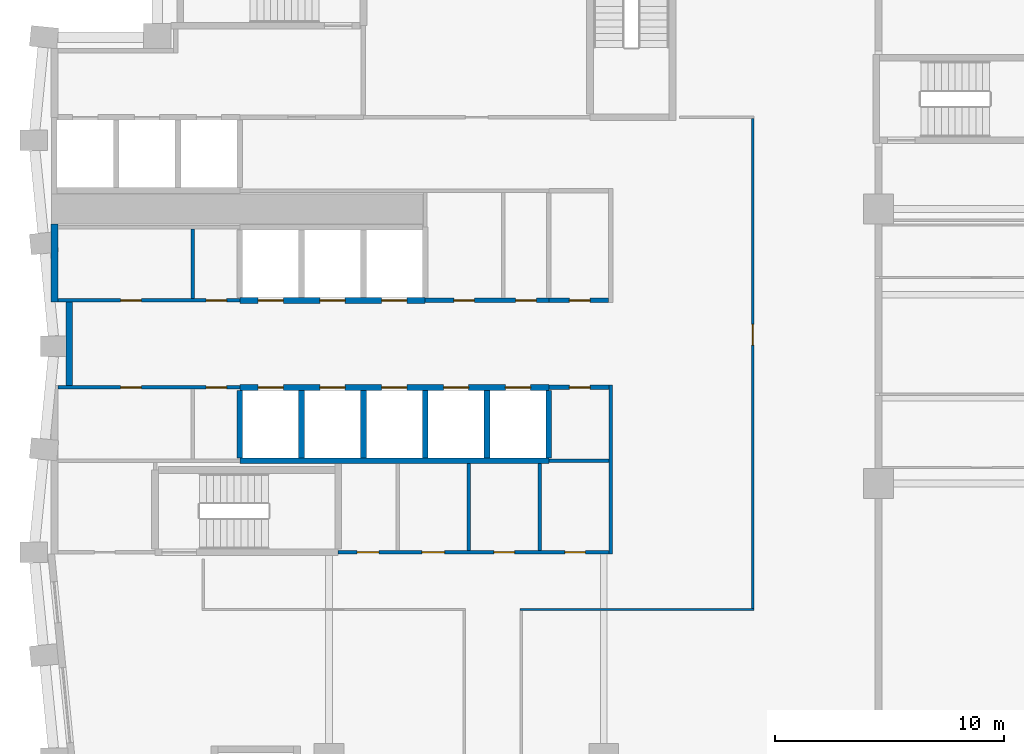
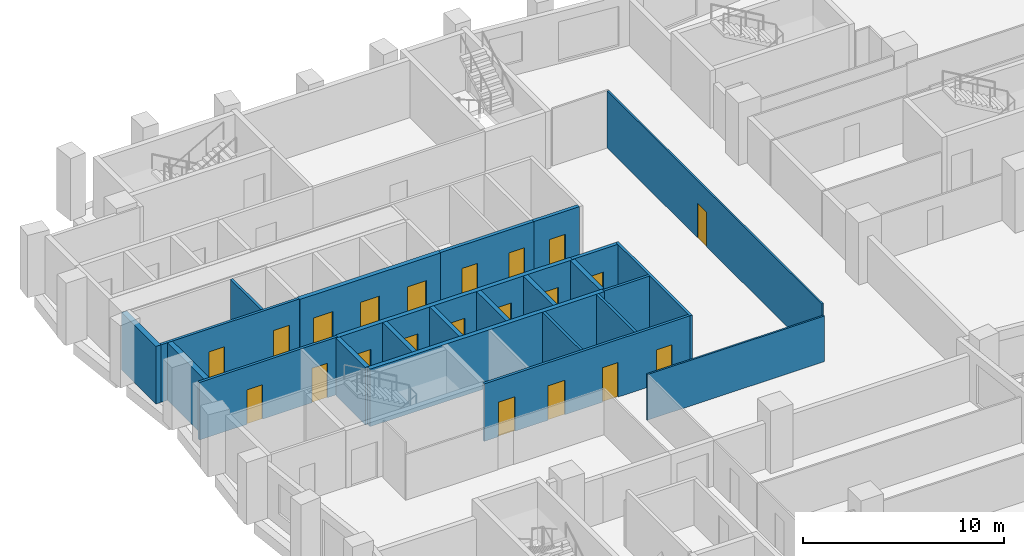
# One storey, part 5 of 11: 24 walls, 21 doors, 21 openings.
"""IFC4 building model written with IfcOpenShell, lengths in metres."""

from ifc_helpers import new_model, si_unit, direction, frame, frame_2d, origin, place, context, subcontext, project, spatial, rectangle, extrude, material, layer, layer_set, type_object, element, fill, save


model = new_model("IFC4")

# Units and contexts
model_context = context("Model", 3, precision=1e-05, world=origin(), true_north=direction((0.0, 1.0)))
body_context = subcontext(model_context, "Body", "Model", "MODEL_VIEW")
ifc_project = project(units=[si_unit("LENGTHUNIT", "METRE"), si_unit("AREAUNIT", "SQUARE_METRE"), si_unit("VOLUMEUNIT", "CUBIC_METRE"), si_unit("PLANEANGLEUNIT", "RADIAN"), si_unit("MASSUNIT", "GRAM", prefix="KILO")], contexts=[model_context])

# Site, building, storey
site_placement = place(None, origin())
site = spatial("IfcSite", under=ifc_project, at=site_placement, CompositionType="ELEMENT")
building_placement = place(site_placement, origin())
building = spatial("IfcBuilding", under=site, at=building_placement, Name="Brondeck Convention Tower", CompositionType="ELEMENT")
storey_placement = place(building_placement, frame((0.0, 0.0, 99.89990234375)))
storey = spatial("IfcBuildingStorey", under=building, at=storey_placement, Name="L23", CompositionType="ELEMENT", Elevation=99.89990234375)

# Wall, openings, doors
ifc_material_1 = material(Name="Concrete C70/85", Category="concrete")
ifc_layer_1 = layer(ifc_material_1, 0.14990234375)
ifc_layer_set_1 = layer_set([ifc_layer_1], Name="Core beam-seat wall 150 Concrete C70/85")
wall_type_1 = type_object("IfcWallType", Name="Core beam-seat wall 150 Concrete C70/85", PredefinedType="SHEAR", material=ifc_layer_set_1)
wall_1_placement = place(storey_placement, frame((12.39990234375, 36.0, 0.0), z_axis=(0.0, 0.0, 1.0), x_axis=(1.0, 0.0, 0.0)))
wall_1 = element("IfcWall", 1, at=wall_1_placement, inside=storey, type_object=wall_type_1, Name="L23 core wall", PredefinedType="SHEAR", context=body_context, shape_type="SweptSolid", body=[
    extrude(rectangle(XDim=11.8251953125, YDim=0.14990234375, at=frame_2d((5.91259765625, 0.0))), origin(), (0.0, 0.0, 1.0), 3.5),
])
opening_1_placement = place(wall_1_placement, frame((0.824951171875, 0.0, 0.0)))
opening_1 = element("IfcOpeningElement", 2, at=opening_1_placement, cuts=wall_1, Name="Opening C15-03", PredefinedType="OPENING", context=body_context, shape_type="SweptSolid", body=[
    extrude(rectangle(XDim=0.949951171875, YDim=2.10009765625, at=frame_2d((0.47509765625, 1.050048828125))), frame((0.0, 0.0849609375, 0.0), z_axis=(0.0, -1.0, 0.0), x_axis=(1.0, 0.0, 0.0)), (0.0, 0.0, 1.0), 0.169921875),
])
opening_2_placement = place(wall_1_placement, frame((3.64990234375, 0.0, 0.0)))
opening_2 = element("IfcOpeningElement", 3, at=opening_2_placement, cuts=wall_1, Name="Opening C15-04", PredefinedType="OPENING", context=body_context, shape_type="SweptSolid", body=[
    extrude(rectangle(XDim=1.0, YDim=2.10009765625, at=frame_2d((0.5, 1.050048828125))), frame((0.0, 0.0849609375, 0.0), z_axis=(0.0, -1.0, 0.0), x_axis=(1.0, 0.0, 0.0)), (0.0, 0.0, 1.0), 0.169921875),
])
opening_3_placement = place(wall_1_placement, frame((6.800048828125, 0.0, 0.0)))
opening_3 = element("IfcOpeningElement", 4, at=opening_3_placement, cuts=wall_1, Name="Opening C15-05", PredefinedType="OPENING", context=body_context, shape_type="SweptSolid", body=[
    extrude(rectangle(XDim=0.89990234375, YDim=2.10009765625, at=frame_2d((0.449951171875, 1.050048828125))), frame((0.0, 0.0849609375, 0.0), z_axis=(0.0, -1.0, 0.0), x_axis=(1.0, 0.0, 0.0)), (0.0, 0.0, 1.0), 0.169921875),
])
opening_4_placement = place(wall_1_placement, frame((9.89990234375, 0.0, 0.0)))
opening_4 = element("IfcOpeningElement", 5, at=opening_4_placement, cuts=wall_1, Name="Opening C15-06", PredefinedType="OPENING", context=body_context, shape_type="SweptSolid", body=[
    extrude(rectangle(XDim=0.89990234375, YDim=2.10009765625, at=frame_2d((0.449951171875, 1.050048828125))), frame((0.0, 0.0849609375, 0.0), z_axis=(0.0, -1.0, 0.0), x_axis=(1.0, 0.0, 0.0)), (0.0, 0.0, 1.0), 0.169921875),
])
ifc_material_2 = material(Name="Steel fire door", Category="steel")
door_type_1 = type_object("IfcDoorType", Name="Room door 1000x2100 EI 60", OperationType="NOTDEFINED", PredefinedType="DOOR", material=ifc_material_2)
door_1_placement = place(opening_2_placement, origin())
door_1 = element("IfcDoor", 6, at=door_1_placement, inside=storey, type_object=door_type_1, Name="L23 Room door FR-2", OperationType="SINGLE_SWING_LEFT", OverallHeight=2.10009765625, OverallWidth=1.0, PredefinedType="DOOR", context=body_context, shape_type="SweptSolid", body=[
    extrude(rectangle(XDim=1.0, YDim=2.10009765625, at=frame_2d((0.5, 1.050048828125))), frame((0.0, 0.02490234375, 0.0), z_axis=(0.0, -1.0, 0.0), x_axis=(1.0, 0.0, 0.0)), (0.0, 0.0, 1.0), 0.050048828125),
])
fill(opening_2, door_1)
door_type_2 = type_object("IfcDoorType", Name="Room door 900x2100 EI 60", OperationType="NOTDEFINED", PredefinedType="DOOR", material=ifc_material_2)
door_2_placement = place(opening_3_placement, origin())
door_2 = element("IfcDoor", 7, at=door_2_placement, inside=storey, type_object=door_type_2, Name="L23 Room door FR-3", OperationType="SINGLE_SWING_RIGHT", OverallHeight=2.10009765625, OverallWidth=0.89990234375, PredefinedType="DOOR", context=body_context, shape_type="SweptSolid", body=[
    extrude(rectangle(XDim=0.89990234375, YDim=2.10009765625, at=frame_2d((0.449951171875, 1.050048828125))), frame((0.0, 0.02490234375, 0.0), z_axis=(0.0, -1.0, 0.0), x_axis=(1.0, 0.0, 0.0)), (0.0, 0.0, 1.0), 0.050048828125),
])
fill(opening_3, door_2)
door_3_placement = place(opening_4_placement, origin())
door_3 = element("IfcDoor", 8, at=door_3_placement, inside=storey, type_object=door_type_2, Name="L23 Room door FR-4", OperationType="SINGLE_SWING_LEFT", OverallHeight=2.10009765625, OverallWidth=0.89990234375, PredefinedType="DOOR", context=body_context, shape_type="SweptSolid", body=[
    extrude(rectangle(XDim=0.89990234375, YDim=2.10009765625, at=frame_2d((0.449951171875, 1.050048828125))), frame((0.0, 0.02490234375, 0.0), z_axis=(0.0, -1.0, 0.0), x_axis=(1.0, 0.0, 0.0)), (0.0, 0.0, 1.0), 0.050048828125),
])
fill(opening_4, door_3)
door_type_3 = type_object("IfcDoorType", Name="Room door 950x2100 EI 60", OperationType="NOTDEFINED", PredefinedType="DOOR", material=ifc_material_2)
door_4_placement = place(opening_1_placement, origin())
door_4 = element("IfcDoor", 9, at=door_4_placement, inside=storey, type_object=door_type_3, Name="L23 Room door FR-1", OperationType="SINGLE_SWING_RIGHT", OverallHeight=2.10009765625, OverallWidth=0.949951171875, PredefinedType="DOOR", context=body_context, shape_type="SweptSolid", body=[
    extrude(rectangle(XDim=0.949951171875, YDim=2.10009765625, at=frame_2d((0.47509765625, 1.050048828125))), frame((0.0, 0.02490234375, 0.0), z_axis=(0.0, -1.0, 0.0), x_axis=(1.0, 0.0, 0.0)), (0.0, 0.0, 1.0), 0.050048828125),
])
fill(opening_1, door_4)

# Walls
ifc_layer_2 = layer(ifc_material_1, 0.300048828125)
ifc_layer_set_2 = layer_set([ifc_layer_2], Name="Core outer wall 300 Concrete C70/85")
wall_type_2 = type_object("IfcWallType", Name="Core outer wall 300 Concrete C70/85", PredefinedType="SHEAR", material=ifc_layer_set_2)
wall_2_placement = place(storey_placement, frame((0.0, 46.925048828125, 0.0), z_axis=(0.0, 0.0, 1.0), x_axis=(0.0, 1.0, 0.0)))
element("IfcWall", 10, at=wall_2_placement, inside=storey, type_object=wall_type_2, Name="L23 core wall", PredefinedType="SHEAR", context=body_context, shape_type="SweptSolid", body=[
    extrude(rectangle(XDim=3.425048828125, YDim=0.300048828125, at=frame_2d((1.71240234375, 0.0))), origin(), (0.0, 0.0, 1.0), 3.5),
])
wall_3_placement = place(storey_placement, frame((0.64990234375, 43.27490234375, 0.0), z_axis=(0.0, 0.0, 1.0), x_axis=(0.0, 1.0, 0.0)))
element("IfcWall", 11, at=wall_3_placement, inside=storey, type_object=wall_type_2, Name="L23 core wall", PredefinedType="SHEAR", context=body_context, shape_type="SweptSolid", body=[
    extrude(rectangle(XDim=3.650146484375, YDim=0.300048828125, at=frame_2d((1.8251953125, 0.0))), origin(), (0.0, 0.0, 1.0), 3.5),
])
ifc_material_3 = material(Name="Fire-rated gypsum board partition")
ifc_layer_3 = layer(ifc_material_3, 0.14990234375)
ifc_layer_set_3 = layer_set([ifc_layer_3], Name="Core partition 150 EI 60")
wall_type_3 = type_object("IfcWallType", Name="Core partition 150 EI 60", PredefinedType="PARTITIONING", material=ifc_layer_set_3)
wall_4_placement = place(storey_placement, frame((21.60009765625, 40.0, 0.0), z_axis=(0.0, 0.0, 1.0), x_axis=(1.0, 0.0, 0.0)))
element("IfcWall", 12, at=wall_4_placement, inside=storey, type_object=wall_type_3, Name="L23 core wall", PredefinedType="PARTITIONING", context=body_context, shape_type="SweptSolid", body=[
    extrude(rectangle(XDim=2.625, YDim=0.14990234375, at=frame_2d((1.3125, 0.0))), origin(), (0.0, 0.0, 1.0), 3.5),
])

# Wall, openings, doors
wall_5_placement = place(storey_placement, frame((0.14990234375, 43.199951171875, 0.0), z_axis=(0.0, 0.0, 1.0), x_axis=(1.0, 0.0, 0.0)))
wall_5 = element("IfcWall", 13, at=wall_5_placement, inside=storey, type_object=wall_type_3, Name="L23 core wall", PredefinedType="PARTITIONING", context=body_context, shape_type="SweptSolid", body=[
    extrude(rectangle(XDim=7.9501953125, YDim=0.14990234375, at=frame_2d((3.97509765625, 0.0))), origin(), (0.0, 0.0, 1.0), 3.5),
])
opening_5_placement = place(wall_5_placement, frame((2.75, 0.0, 0.0)))
opening_5 = element("IfcOpeningElement", 14, at=opening_5_placement, cuts=wall_5, Name="Opening C15-12", PredefinedType="OPENING", context=body_context, shape_type="SweptSolid", body=[
    extrude(rectangle(XDim=0.89990234375, YDim=2.10009765625, at=frame_2d((0.449951171875, 1.050048828125))), frame((0.0, 0.0849609375, 0.0), z_axis=(0.0, -1.0, 0.0), x_axis=(1.0, 0.0, 0.0)), (0.0, 0.0, 1.0), 0.169921875),
])
opening_6_placement = place(wall_5_placement, frame((6.47509765625, 0.0, 0.0)))
opening_6 = element("IfcOpeningElement", 15, at=opening_6_placement, cuts=wall_5, Name="Opening C15-13", PredefinedType="OPENING", context=body_context, shape_type="SweptSolid", body=[
    extrude(rectangle(XDim=0.89990234375, YDim=2.10009765625, at=frame_2d((0.449951171875, 1.050048828125))), frame((0.0, 0.0849609375, 0.0), z_axis=(0.0, -1.0, 0.0), x_axis=(1.0, 0.0, 0.0)), (0.0, 0.0, 1.0), 0.169921875),
])
door_5_placement = place(opening_5_placement, origin())
door_5 = element("IfcDoor", 16, at=door_5_placement, inside=storey, type_object=door_type_2, Name="L23 Room door FZ-S-0-1", OperationType="SINGLE_SWING_LEFT", OverallHeight=2.10009765625, OverallWidth=0.89990234375, PredefinedType="DOOR", context=body_context, shape_type="SweptSolid", body=[
    extrude(rectangle(XDim=0.89990234375, YDim=2.10009765625, at=frame_2d((0.449951171875, 1.050048828125))), frame((0.0, 0.02490234375, 0.0), z_axis=(0.0, -1.0, 0.0), x_axis=(1.0, 0.0, 0.0)), (0.0, 0.0, 1.0), 0.050048828125),
])
fill(opening_5, door_5)
door_6_placement = place(opening_6_placement, origin())
door_6 = element("IfcDoor", 17, at=door_6_placement, inside=storey, type_object=door_type_2, Name="L23 Room door FZ-S-0-2", OperationType="SINGLE_SWING_RIGHT", OverallHeight=2.10009765625, OverallWidth=0.89990234375, PredefinedType="DOOR", context=body_context, shape_type="SweptSolid", body=[
    extrude(rectangle(XDim=0.89990234375, YDim=2.10009765625, at=frame_2d((0.449951171875, 1.050048828125))), frame((0.0, 0.02490234375, 0.0), z_axis=(0.0, -1.0, 0.0), x_axis=(1.0, 0.0, 0.0)), (0.0, 0.0, 1.0), 0.050048828125),
])
fill(opening_6, door_6)

wall_6_placement = place(storey_placement, frame((0.14990234375, 47.0, 0.0), z_axis=(0.0, 0.0, 1.0), x_axis=(1.0, 0.0, 0.0)))
wall_6 = element("IfcWall", 18, at=wall_6_placement, inside=storey, type_object=wall_type_3, Name="L23 core wall", PredefinedType="PARTITIONING", context=body_context, shape_type="SweptSolid", body=[
    extrude(rectangle(XDim=7.9501953125, YDim=0.14990234375, at=frame_2d((3.97509765625, 0.0))), origin(), (0.0, 0.0, 1.0), 3.5),
])
opening_7_placement = place(wall_6_placement, frame((2.75, 0.0, 0.0)))
opening_7 = element("IfcOpeningElement", 19, at=opening_7_placement, cuts=wall_6, Name="Opening C15-08", PredefinedType="OPENING", context=body_context, shape_type="SweptSolid", body=[
    extrude(rectangle(XDim=0.89990234375, YDim=2.10009765625, at=frame_2d((0.449951171875, 1.050048828125))), frame((0.0, 0.0849609375, 0.0), z_axis=(0.0, -1.0, 0.0), x_axis=(1.0, 0.0, 0.0)), (0.0, 0.0, 1.0), 0.169921875),
])
opening_8_placement = place(wall_6_placement, frame((6.47509765625, 0.0, 0.0)))
opening_8 = element("IfcOpeningElement", 20, at=opening_8_placement, cuts=wall_6, Name="Opening C15-09", PredefinedType="OPENING", context=body_context, shape_type="SweptSolid", body=[
    extrude(rectangle(XDim=0.89990234375, YDim=2.10009765625, at=frame_2d((0.449951171875, 1.050048828125))), frame((0.0, 0.0849609375, 0.0), z_axis=(0.0, -1.0, 0.0), x_axis=(1.0, 0.0, 0.0)), (0.0, 0.0, 1.0), 0.169921875),
])
door_7_placement = place(opening_7_placement, origin())
door_7 = element("IfcDoor", 21, at=door_7_placement, inside=storey, type_object=door_type_2, Name="L23 Room door FZ-N-0-1", OperationType="SINGLE_SWING_RIGHT", OverallHeight=2.10009765625, OverallWidth=0.89990234375, PredefinedType="DOOR", context=body_context, shape_type="SweptSolid", body=[
    extrude(rectangle(XDim=0.89990234375, YDim=2.10009765625, at=frame_2d((0.449951171875, 1.050048828125))), frame((0.0, 0.02490234375, 0.0), z_axis=(0.0, -1.0, 0.0), x_axis=(1.0, 0.0, 0.0)), (0.0, 0.0, 1.0), 0.050048828125),
])
fill(opening_7, door_7)
door_8_placement = place(opening_8_placement, origin())
door_8 = element("IfcDoor", 22, at=door_8_placement, inside=storey, type_object=door_type_2, Name="L23 Room door FZ-N-0-2", OperationType="SINGLE_SWING_LEFT", OverallHeight=2.10009765625, OverallWidth=0.89990234375, PredefinedType="DOOR", context=body_context, shape_type="SweptSolid", body=[
    extrude(rectangle(XDim=0.89990234375, YDim=2.10009765625, at=frame_2d((0.449951171875, 1.050048828125))), frame((0.0, 0.02490234375, 0.0), z_axis=(0.0, -1.0, 0.0), x_axis=(1.0, 0.0, 0.0)), (0.0, 0.0, 1.0), 0.050048828125),
])
fill(opening_8, door_8)

# Walls
wall_7_placement = place(storey_placement, frame((6.050048828125, 47.074951171875, 0.0), z_axis=(0.0, 0.0, 1.0), x_axis=(0.0, 1.0, 0.0)))
element("IfcWall", 23, at=wall_7_placement, inside=storey, type_object=wall_type_3, Name="L23 core wall", PredefinedType="PARTITIONING", context=body_context, shape_type="SweptSolid", body=[
    extrude(rectangle(XDim=3.050048828125, YDim=0.14990234375, at=frame_2d((1.52490234375, 0.0))), origin(), (0.0, 0.0, 1.0), 3.5),
])
for number, where, z_axis, x_axis, name in (
    (24, (18.10009765625, 36.074951171875, 0.0), (0.0, 0.0, 1.0), (0.0, 1.0, 0.0), "L23 core wall"),
    (25, (21.199951171875, 36.074951171875, 0.0), (0.0, 0.0, 1.0), (0.0, 1.0, 0.0), "L23 core wall"),
):
    element("IfcWall", number, at=place(storey_placement, frame(where, z_axis=z_axis, x_axis=x_axis)), inside=storey, type_object=wall_type_3, Name=name, PredefinedType="PARTITIONING", context=body_context, shape_type="SweptSolid", body=[
        extrude(rectangle(XDim=3.800048828125, YDim=0.14990234375, at=frame_2d((1.89990234375, 0.0))), origin(), (0.0, 0.0, 1.0), 3.5),
    ])
wall_8_placement = place(storey_placement, frame((24.300048828125, 35.925048828125, 0.0), z_axis=(0.0, 0.0, 1.0), x_axis=(0.0, 1.0, 0.0)))
element("IfcWall", 26, at=wall_8_placement, inside=storey, type_object=wall_type_3, Name="L23 core wall", PredefinedType="PARTITIONING", context=body_context, shape_type="SweptSolid", body=[
    extrude(rectangle(XDim=7.375, YDim=0.14990234375, at=frame_2d((3.6875, 0.0))), origin(), (0.0, 0.0, 1.0), 3.5),
])

# Wall, opening, door
ifc_layer_4 = layer(ifc_material_3, 0.199951171875)
ifc_layer_set_4 = layer_set([ifc_layer_4], Name="Lift lobby wall 200 EI 60")
wall_type_4 = type_object("IfcWallType", Name="Lift lobby wall 200 EI 60", PredefinedType="PARTITIONING", material=ifc_layer_set_4)
wall_9_placement = place(storey_placement, frame((21.60009765625, 43.199951171875, 0.0), z_axis=(0.0, 0.0, 1.0), x_axis=(1.0, 0.0, 0.0)))
wall_9 = element("IfcWall", 27, at=wall_9_placement, inside=storey, type_object=wall_type_4, Name="L23 core wall", PredefinedType="PARTITIONING", context=body_context, shape_type="SweptSolid", body=[
    extrude(rectangle(XDim=2.625, YDim=0.199951171875, at=frame_2d((1.3125, 0.0))), origin(), (0.0, 0.0, 1.0), 3.5),
])
opening_9_placement = place(wall_9_placement, frame((0.89990234375, 0.0, 0.0)))
opening_9 = element("IfcOpeningElement", 28, at=opening_9_placement, cuts=wall_9, Name="Opening C15-14", PredefinedType="OPENING", context=body_context, shape_type="SweptSolid", body=[
    extrude(rectangle(XDim=0.89990234375, YDim=2.10009765625, at=frame_2d((0.449951171875, 1.050048828125))), frame((0.0, 0.10986328125, 0.0), z_axis=(0.0, -1.0, 0.0), x_axis=(1.0, 0.0, 0.0)), (0.0, 0.0, 1.0), 0.219970703125),
])
door_9_placement = place(opening_9_placement, origin())
door_9 = element("IfcDoor", 29, at=door_9_placement, inside=storey, type_object=door_type_2, Name="L23 Room door FZ-S-21.6-1", OperationType="SINGLE_SWING_RIGHT", OverallHeight=2.10009765625, OverallWidth=0.89990234375, PredefinedType="DOOR", context=body_context, shape_type="SweptSolid", body=[
    extrude(rectangle(XDim=0.89990234375, YDim=2.10009765625, at=frame_2d((0.449951171875, 1.050048828125))), frame((0.0, 0.02490234375, 0.0), z_axis=(0.0, -1.0, 0.0), x_axis=(1.0, 0.0, 0.0)), (0.0, 0.0, 1.0), 0.050048828125),
])
fill(opening_9, door_9)

# Wall, openings, doors
wall_10_placement = place(storey_placement, frame((16.199951171875, 47.0, 0.0), z_axis=(0.0, 0.0, 1.0), x_axis=(1.0, 0.0, 0.0)))
wall_10 = element("IfcWall", 30, at=wall_10_placement, inside=storey, type_object=wall_type_4, Name="L23 core wall", PredefinedType="PARTITIONING", context=body_context, shape_type="SweptSolid", body=[
    extrude(rectangle(XDim=5.400146484375, YDim=0.199951171875, at=frame_2d((2.7001953125, 0.0))), origin(), (0.0, 0.0, 1.0), 3.5),
])
opening_10_placement = place(wall_10_placement, frame((1.25, 0.0, 0.0)))
opening_10 = element("IfcOpeningElement", 31, at=opening_10_placement, cuts=wall_10, Name="Opening C15-10", PredefinedType="OPENING", context=body_context, shape_type="SweptSolid", body=[
    extrude(rectangle(XDim=0.89990234375, YDim=2.10009765625, at=frame_2d((0.449951171875, 1.050048828125))), frame((0.0, 0.10986328125, 0.0), z_axis=(0.0, -1.0, 0.0), x_axis=(1.0, 0.0, 0.0)), (0.0, 0.0, 1.0), 0.219970703125),
])
opening_11_placement = place(wall_10_placement, frame((3.949951171875, 0.0, 0.0)))
opening_11 = element("IfcOpeningElement", 32, at=opening_11_placement, cuts=wall_10, Name="Opening C15-11", PredefinedType="OPENING", context=body_context, shape_type="SweptSolid", body=[
    extrude(rectangle(XDim=0.89990234375, YDim=2.10009765625, at=frame_2d((0.449951171875, 1.050048828125))), frame((0.0, 0.10986328125, 0.0), z_axis=(0.0, -1.0, 0.0), x_axis=(1.0, 0.0, 0.0)), (0.0, 0.0, 1.0), 0.219970703125),
])
door_10_placement = place(opening_10_placement, origin())
door_10 = element("IfcDoor", 33, at=door_10_placement, inside=storey, type_object=door_type_2, Name="L23 Room door FZ-N-16.2-1", OperationType="SINGLE_SWING_LEFT", OverallHeight=2.10009765625, OverallWidth=0.89990234375, PredefinedType="DOOR", context=body_context, shape_type="SweptSolid", body=[
    extrude(rectangle(XDim=0.89990234375, YDim=2.10009765625, at=frame_2d((0.449951171875, 1.050048828125))), frame((0.0, 0.02490234375, 0.0), z_axis=(0.0, -1.0, 0.0), x_axis=(1.0, 0.0, 0.0)), (0.0, 0.0, 1.0), 0.050048828125),
])
fill(opening_10, door_10)
door_11_placement = place(opening_11_placement, origin())
door_11 = element("IfcDoor", 34, at=door_11_placement, inside=storey, type_object=door_type_2, Name="L23 Room door FZ-N-16.2-2", OperationType="SINGLE_SWING_RIGHT", OverallHeight=2.10009765625, OverallWidth=0.89990234375, PredefinedType="DOOR", context=body_context, shape_type="SweptSolid", body=[
    extrude(rectangle(XDim=0.89990234375, YDim=2.10009765625, at=frame_2d((0.449951171875, 1.050048828125))), frame((0.0, 0.02490234375, 0.0), z_axis=(0.0, -1.0, 0.0), x_axis=(1.0, 0.0, 0.0)), (0.0, 0.0, 1.0), 0.050048828125),
])
fill(opening_11, door_11)

# Wall
ifc_layer_5 = layer(ifc_material_1, 0.25)
ifc_layer_set_5 = layer_set([ifc_layer_5], Name="Lift shaft wall 250 Concrete C70/85")
wall_type_5 = type_object("IfcWallType", Name="Lift shaft wall 250 Concrete C70/85", PredefinedType="SHEAR", material=ifc_layer_set_5)
wall_11_placement = place(storey_placement, frame((8.10009765625, 40.0, 0.0), z_axis=(0.0, 0.0, 1.0), x_axis=(1.0, 0.0, 0.0)))
element("IfcWall", 35, at=wall_11_placement, inside=storey, type_object=wall_type_5, Name="L23 core wall", PredefinedType="SHEAR", context=body_context, shape_type="SweptSolid", body=[
    extrude(rectangle(XDim=13.5, YDim=0.25, at=frame_2d((6.75, 0.0))), origin(), (0.0, 0.0, 1.0), 3.5),
])

# Wall, openings, doors
wall_12_placement = place(storey_placement, frame((8.10009765625, 43.199951171875, 0.0), z_axis=(0.0, 0.0, 1.0), x_axis=(1.0, 0.0, 0.0)))
wall_12 = element("IfcWall", 36, at=wall_12_placement, inside=storey, type_object=wall_type_5, Name="L23 core wall", PredefinedType="SHEAR", context=body_context, shape_type="SweptSolid", body=[
    extrude(rectangle(XDim=13.5, YDim=0.25, at=frame_2d((6.75, 0.0))), origin(), (0.0, 0.0, 1.0), 3.5),
])
opening_12_placement = place(wall_12_placement, frame((0.800048828125, 0.0, 0.0)))
opening_12 = element("IfcOpeningElement", 37, at=opening_12_placement, cuts=wall_12, Name="Opening C15-26", PredefinedType="OPENING", context=body_context, shape_type="SweptSolid", body=[
    extrude(rectangle(XDim=1.10009765625, YDim=2.10009765625, at=frame_2d((0.550048828125, 1.050048828125))), frame((0.0, 0.135009765625, 0.0), z_axis=(0.0, -1.0, 0.0), x_axis=(1.0, 0.0, 0.0)), (0.0, 0.0, 1.0), 0.27001953125),
])
opening_13_placement = place(wall_12_placement, frame((3.5, 0.0, 0.0)))
opening_13 = element("IfcOpeningElement", 38, at=opening_13_placement, cuts=wall_12, Name="Opening C15-27", PredefinedType="OPENING", context=body_context, shape_type="SweptSolid", body=[
    extrude(rectangle(XDim=1.10009765625, YDim=2.10009765625, at=frame_2d((0.550048828125, 1.050048828125))), frame((0.0, 0.135009765625, 0.0), z_axis=(0.0, -1.0, 0.0), x_axis=(1.0, 0.0, 0.0)), (0.0, 0.0, 1.0), 0.27001953125),
])
opening_14_placement = place(wall_12_placement, frame((6.199951171875, 0.0, 0.0)))
opening_14 = element("IfcOpeningElement", 39, at=opening_14_placement, cuts=wall_12, Name="Opening C15-28", PredefinedType="OPENING", context=body_context, shape_type="SweptSolid", body=[
    extrude(rectangle(XDim=1.10009765625, YDim=2.10009765625, at=frame_2d((0.550048828125, 1.050048828125))), frame((0.0, 0.135009765625, 0.0), z_axis=(0.0, -1.0, 0.0), x_axis=(1.0, 0.0, 0.0)), (0.0, 0.0, 1.0), 0.27001953125),
])
opening_15_placement = place(wall_12_placement, frame((8.89990234375, 0.0, 0.0)))
opening_15 = element("IfcOpeningElement", 40, at=opening_15_placement, cuts=wall_12, Name="Opening C15-32", PredefinedType="OPENING", context=body_context, shape_type="SweptSolid", body=[
    extrude(rectangle(XDim=1.10009765625, YDim=2.10009765625, at=frame_2d((0.550048828125, 1.050048828125))), frame((0.0, 0.135009765625, 0.0), z_axis=(0.0, -1.0, 0.0), x_axis=(1.0, 0.0, 0.0)), (0.0, 0.0, 1.0), 0.27001953125),
])
opening_16_placement = place(wall_12_placement, frame((11.60009765625, 0.0, 0.0)))
opening_16 = element("IfcOpeningElement", 41, at=opening_16_placement, cuts=wall_12, Name="Opening C15-33", PredefinedType="OPENING", context=body_context, shape_type="SweptSolid", body=[
    extrude(rectangle(XDim=1.10009765625, YDim=2.10009765625, at=frame_2d((0.550048828125, 1.050048828125))), frame((0.0, 0.135009765625, 0.0), z_axis=(0.0, -1.0, 0.0), x_axis=(1.0, 0.0, 0.0)), (0.0, 0.0, 1.0), 0.27001953125),
])
ifc_material_4 = material(Name="Stainless steel lift door", Category="steel")
door_type_4 = type_object("IfcDoorType", Name="Lift landing door 1100x2100 EI 180", OperationType="DOUBLE_DOOR_SLIDING", PredefinedType="DOOR", material=ifc_material_4)
door_12_placement = place(opening_12_placement, origin())
door_12 = element("IfcDoor", 42, at=door_12_placement, inside=storey, type_object=door_type_4, Name="L23 Lift landing door LR1", OperationType="DOUBLE_DOOR_SLIDING", OverallHeight=2.10009765625, OverallWidth=1.10009765625, PredefinedType="DOOR", context=body_context, shape_type="SweptSolid", body=[
    extrude(rectangle(XDim=1.10009765625, YDim=2.10009765625, at=frame_2d((0.550048828125, 1.050048828125))), frame((0.0, 0.02490234375, 0.0), z_axis=(0.0, -1.0, 0.0), x_axis=(1.0, 0.0, 0.0)), (0.0, 0.0, 1.0), 0.050048828125),
])
fill(opening_12, door_12)
door_13_placement = place(opening_13_placement, origin())
door_13 = element("IfcDoor", 43, at=door_13_placement, inside=storey, type_object=door_type_4, Name="L23 Lift landing door LR2", OperationType="DOUBLE_DOOR_SLIDING", OverallHeight=2.10009765625, OverallWidth=1.10009765625, PredefinedType="DOOR", context=body_context, shape_type="SweptSolid", body=[
    extrude(rectangle(XDim=1.10009765625, YDim=2.10009765625, at=frame_2d((0.550048828125, 1.050048828125))), frame((0.0, 0.02490234375, 0.0), z_axis=(0.0, -1.0, 0.0), x_axis=(1.0, 0.0, 0.0)), (0.0, 0.0, 1.0), 0.050048828125),
])
fill(opening_13, door_13)
door_14_placement = place(opening_14_placement, origin())
door_14 = element("IfcDoor", 44, at=door_14_placement, inside=storey, type_object=door_type_4, Name="L23 Lift landing door LR3", OperationType="DOUBLE_DOOR_SLIDING", OverallHeight=2.10009765625, OverallWidth=1.10009765625, PredefinedType="DOOR", context=body_context, shape_type="SweptSolid", body=[
    extrude(rectangle(XDim=1.10009765625, YDim=2.10009765625, at=frame_2d((0.550048828125, 1.050048828125))), frame((0.0, 0.02490234375, 0.0), z_axis=(0.0, -1.0, 0.0), x_axis=(1.0, 0.0, 0.0)), (0.0, 0.0, 1.0), 0.050048828125),
])
fill(opening_14, door_14)
door_15_placement = place(opening_15_placement, origin())
door_15 = element("IfcDoor", 45, at=door_15_placement, inside=storey, type_object=door_type_4, Name="L23 Lift landing door SH1", OperationType="DOUBLE_DOOR_SLIDING", OverallHeight=2.10009765625, OverallWidth=1.10009765625, PredefinedType="DOOR", context=body_context, shape_type="SweptSolid", body=[
    extrude(rectangle(XDim=1.10009765625, YDim=2.10009765625, at=frame_2d((0.550048828125, 1.050048828125))), frame((0.0, 0.02490234375, 0.0), z_axis=(0.0, -1.0, 0.0), x_axis=(1.0, 0.0, 0.0)), (0.0, 0.0, 1.0), 0.050048828125),
])
fill(opening_15, door_15)
door_16_placement = place(opening_16_placement, origin())
door_16 = element("IfcDoor", 46, at=door_16_placement, inside=storey, type_object=door_type_4, Name="L23 Lift landing door SH2", OperationType="DOUBLE_DOOR_SLIDING", OverallHeight=2.10009765625, OverallWidth=1.10009765625, PredefinedType="DOOR", context=body_context, shape_type="SweptSolid", body=[
    extrude(rectangle(XDim=1.10009765625, YDim=2.10009765625, at=frame_2d((0.550048828125, 1.050048828125))), frame((0.0, 0.02490234375, 0.0), z_axis=(0.0, -1.0, 0.0), x_axis=(1.0, 0.0, 0.0)), (0.0, 0.0, 1.0), 0.050048828125),
])
fill(opening_16, door_16)

wall_13_placement = place(storey_placement, frame((8.10009765625, 47.0, 0.0), z_axis=(0.0, 0.0, 1.0), x_axis=(1.0, 0.0, 0.0)))
wall_13 = element("IfcWall", 47, at=wall_13_placement, inside=storey, type_object=wall_type_5, Name="L23 core wall", PredefinedType="SHEAR", context=body_context, shape_type="SweptSolid", body=[
    extrude(rectangle(XDim=8.099853515625, YDim=0.25, at=frame_2d((4.0498046875, 0.0))), origin(), (0.0, 0.0, 1.0), 3.5),
])
opening_17_placement = place(wall_13_placement, frame((0.800048828125, 0.0, 0.0)))
opening_17 = element("IfcOpeningElement", 48, at=opening_17_placement, cuts=wall_13, Name="Opening C15-29", PredefinedType="OPENING", context=body_context, shape_type="SweptSolid", body=[
    extrude(rectangle(XDim=1.10009765625, YDim=2.10009765625, at=frame_2d((0.550048828125, 1.050048828125))), frame((0.0, 0.135009765625, 0.0), z_axis=(0.0, -1.0, 0.0), x_axis=(1.0, 0.0, 0.0)), (0.0, 0.0, 1.0), 0.27001953125),
])
opening_18_placement = place(wall_13_placement, frame((3.5, 0.0, 0.0)))
opening_18 = element("IfcOpeningElement", 49, at=opening_18_placement, cuts=wall_13, Name="Opening C15-30", PredefinedType="OPENING", context=body_context, shape_type="SweptSolid", body=[
    extrude(rectangle(XDim=1.10009765625, YDim=2.10009765625, at=frame_2d((0.550048828125, 1.050048828125))), frame((0.0, 0.135009765625, 0.0), z_axis=(0.0, -1.0, 0.0), x_axis=(1.0, 0.0, 0.0)), (0.0, 0.0, 1.0), 0.27001953125),
])
opening_19_placement = place(wall_13_placement, frame((6.199951171875, 0.0, 0.0)))
opening_19 = element("IfcOpeningElement", 50, at=opening_19_placement, cuts=wall_13, Name="Opening C15-31", PredefinedType="OPENING", context=body_context, shape_type="SweptSolid", body=[
    extrude(rectangle(XDim=1.10009765625, YDim=2.10009765625, at=frame_2d((0.550048828125, 1.050048828125))), frame((0.0, 0.135009765625, 0.0), z_axis=(0.0, -1.0, 0.0), x_axis=(1.0, 0.0, 0.0)), (0.0, 0.0, 1.0), 0.27001953125),
])
door_17_placement = place(opening_17_placement, origin())
door_17 = element("IfcDoor", 51, at=door_17_placement, inside=storey, type_object=door_type_4, Name="L23 Lift landing door LR4", OperationType="DOUBLE_DOOR_SLIDING", OverallHeight=2.10009765625, OverallWidth=1.10009765625, PredefinedType="DOOR", context=body_context, shape_type="SweptSolid", body=[
    extrude(rectangle(XDim=1.10009765625, YDim=2.10009765625, at=frame_2d((0.550048828125, 1.050048828125))), frame((0.0, 0.02490234375, 0.0), z_axis=(0.0, -1.0, 0.0), x_axis=(1.0, 0.0, 0.0)), (0.0, 0.0, 1.0), 0.050048828125),
])
fill(opening_17, door_17)
door_18_placement = place(opening_18_placement, origin())
door_18 = element("IfcDoor", 52, at=door_18_placement, inside=storey, type_object=door_type_4, Name="L23 Lift landing door LR5", OperationType="DOUBLE_DOOR_SLIDING", OverallHeight=2.10009765625, OverallWidth=1.10009765625, PredefinedType="DOOR", context=body_context, shape_type="SweptSolid", body=[
    extrude(rectangle(XDim=1.10009765625, YDim=2.10009765625, at=frame_2d((0.550048828125, 1.050048828125))), frame((0.0, 0.02490234375, 0.0), z_axis=(0.0, -1.0, 0.0), x_axis=(1.0, 0.0, 0.0)), (0.0, 0.0, 1.0), 0.050048828125),
])
fill(opening_18, door_18)
door_19_placement = place(opening_19_placement, origin())
door_19 = element("IfcDoor", 53, at=door_19_placement, inside=storey, type_object=door_type_4, Name="L23 Lift landing door LR6", OperationType="DOUBLE_DOOR_SLIDING", OverallHeight=2.10009765625, OverallWidth=1.10009765625, PredefinedType="DOOR", context=body_context, shape_type="SweptSolid", body=[
    extrude(rectangle(XDim=1.10009765625, YDim=2.10009765625, at=frame_2d((0.550048828125, 1.050048828125))), frame((0.0, 0.02490234375, 0.0), z_axis=(0.0, -1.0, 0.0), x_axis=(1.0, 0.0, 0.0)), (0.0, 0.0, 1.0), 0.050048828125),
])
fill(opening_19, door_19)

# Walls
for number, where, z_axis, x_axis, name in (
    (54, (8.10009765625, 40.125, 0.0), (0.0, 0.0, 1.0), (0.0, 1.0, 0.0), "L23 core wall"),
    (55, (10.800048828125, 40.125, 0.0), (0.0, 0.0, 1.0), (0.0, 1.0, 0.0), "L23 core wall"),
    (56, (13.5, 40.125, 0.0), (0.0, 0.0, 1.0), (0.0, 1.0, 0.0), "L23 core wall"),
    (57, (16.199951171875, 40.125, 0.0), (0.0, 0.0, 1.0), (0.0, 1.0, 0.0), "L23 core wall"),
    (58, (18.89990234375, 40.125, 0.0), (0.0, 0.0, 1.0), (0.0, 1.0, 0.0), "L23 core wall"),
    (59, (21.60009765625, 40.125, 0.0), (0.0, 0.0, 1.0), (0.0, 1.0, 0.0), "L23 core wall"),
):
    element("IfcWall", number, at=place(storey_placement, frame(where, z_axis=z_axis, x_axis=x_axis)), inside=storey, type_object=wall_type_5, Name=name, PredefinedType="SHEAR", context=body_context, shape_type="SweptSolid", body=[
        extrude(rectangle(XDim=2.949951171875, YDim=0.25, at=frame_2d((1.47509765625, 0.0))), origin(), (0.0, 0.0, 1.0), 3.5),
    ])

# Wall, opening, door
ifc_layer_6 = layer(ifc_material_3, 0.199951171875)
ifc_layer_set_6 = layer_set([ifc_layer_6], Name="Riser wall 200 EI 120")
wall_type_6 = type_object("IfcWallType", Name="Riser wall 200 EI 120", PredefinedType="PARTITIONING", material=ifc_layer_set_6)
wall_14_placement = place(storey_placement, frame((21.60009765625, 47.0, 0.0), z_axis=(0.0, 0.0, 1.0), x_axis=(1.0, 0.0, 0.0)))
wall_14 = element("IfcWall", 60, at=wall_14_placement, inside=storey, type_object=wall_type_6, Name="L23 core wall", PredefinedType="PARTITIONING", context=body_context, shape_type="SweptSolid", body=[
    extrude(rectangle(XDim=2.599853515625, YDim=0.199951171875, at=frame_2d((1.2998046875, 0.0))), origin(), (0.0, 0.0, 1.0), 3.5),
])
opening_20_placement = place(wall_14_placement, frame((0.89990234375, 0.0, 0.0)))
opening_20 = element("IfcOpeningElement", 61, at=opening_20_placement, cuts=wall_14, Name="Opening C15-02", PredefinedType="OPENING", context=body_context, shape_type="SweptSolid", body=[
    extrude(rectangle(XDim=0.89990234375, YDim=2.10009765625, at=frame_2d((0.449951171875, 1.050048828125))), frame((0.0, 0.10986328125, 0.0), z_axis=(0.0, -1.0, 0.0), x_axis=(1.0, 0.0, 0.0)), (0.0, 0.0, 1.0), 0.219970703125),
])
door_type_5 = type_object("IfcDoorType", Name="Riser door 900x2100 EI 120", OperationType="NOTDEFINED", PredefinedType="DOOR", material=ifc_material_2)
door_20_placement = place(opening_20_placement, origin())
door_20 = element("IfcDoor", 62, at=door_20_placement, inside=storey, type_object=door_type_5, Name="L23 Riser door EN-1", OperationType="SINGLE_SWING_LEFT", OverallHeight=2.10009765625, OverallWidth=0.89990234375, PredefinedType="DOOR", context=body_context, shape_type="SweptSolid", body=[
    extrude(rectangle(XDim=0.89990234375, YDim=2.10009765625, at=frame_2d((0.449951171875, 1.050048828125))), frame((0.0, 0.02490234375, 0.0), z_axis=(0.0, -1.0, 0.0), x_axis=(1.0, 0.0, 0.0)), (0.0, 0.0, 1.0), 0.050048828125),
])
fill(opening_20, door_20)

# Wall
ifc_material_5 = material(Name="Gypsum board partition on steel studs", Category="steel")
ifc_layer_7 = layer(ifc_material_5, 0.10009765625)
ifc_layer_set_7 = layer_set([ifc_layer_7], Name="Room partition 100")
wall_type_7 = type_object("IfcWallType", Name="Room partition 100", PredefinedType="PARTITIONING", material=ifc_layer_set_7)
wall_15_placement = place(storey_placement, frame((30.550048828125, 33.5, 0.0), z_axis=(0.0, 0.0, 1.0), x_axis=(-1.0, 0.0, 0.0)))
element("IfcWall", 63, at=wall_15_placement, inside=storey, type_object=wall_type_7, Name="FLR-L23-W030", PredefinedType="PARTITIONING", context=body_context, shape_type="SweptSolid", body=[
    extrude(rectangle(XDim=10.199951171875, YDim=0.10009765625, at=frame_2d((5.10009765625, 0.0))), origin(), (0.0, 0.0, 1.0), 2.780029296875),
])

# Wall, opening, door
wall_16_placement = place(storey_placement, frame((30.5, 54.949951171875, 0.0), z_axis=(0.0, 0.0, 1.0), x_axis=(0.0, -1.0, 0.0)))
wall_16 = element("IfcWall", 64, at=wall_16_placement, inside=storey, type_object=wall_type_7, Name="FLR-L23-W072", PredefinedType="PARTITIONING", context=body_context, shape_type="SweptSolid", body=[
    extrude(rectangle(XDim=21.39990234375, YDim=0.10009765625, at=frame_2d((10.699951171875, 0.0))), origin(), (0.0, 0.0, 1.0), 3.47998046875),
])
opening_21_placement = place(wall_16_placement, frame((9.0, 0.0, 0.0)))
opening_21 = element("IfcOpeningElement", 65, at=opening_21_placement, cuts=wall_16, Name="Opening OF-B-020", PredefinedType="OPENING", context=body_context, shape_type="SweptSolid", body=[
    extrude(rectangle(XDim=0.89990234375, YDim=2.10009765625, at=frame_2d((0.449951171875, 1.050048828125))), frame((0.0, 0.06005859375, 0.0), z_axis=(0.0, -1.0, 0.0), x_axis=(1.0, 0.0, 0.0)), (0.0, 0.0, 1.0), 0.1201171875),
])
ifc_material_6 = material(Name="Solid timber door leaf", Category="wood")
door_type_6 = type_object("IfcDoorType", Name="Single door 900", OperationType="NOTDEFINED", PredefinedType="DOOR", material=ifc_material_6)
door_21_placement = place(opening_21_placement, origin())
door_21 = element("IfcDoor", 66, at=door_21_placement, inside=storey, type_object=door_type_6, Name="Door OF-B-020", OperationType="SINGLE_SWING_LEFT", OverallHeight=2.10009765625, OverallWidth=0.89990234375, PredefinedType="DOOR", context=body_context, shape_type="SweptSolid", body=[
    extrude(rectangle(XDim=0.89990234375, YDim=2.10009765625, at=frame_2d((0.449951171875, 1.050048828125))), frame((0.0, 0.02490234375, 0.0), z_axis=(0.0, -1.0, 0.0), x_axis=(1.0, 0.0, 0.0)), (0.0, 0.0, 1.0), 0.050048828125),
])
fill(opening_21, door_21)

save(model, "model.ifc")
